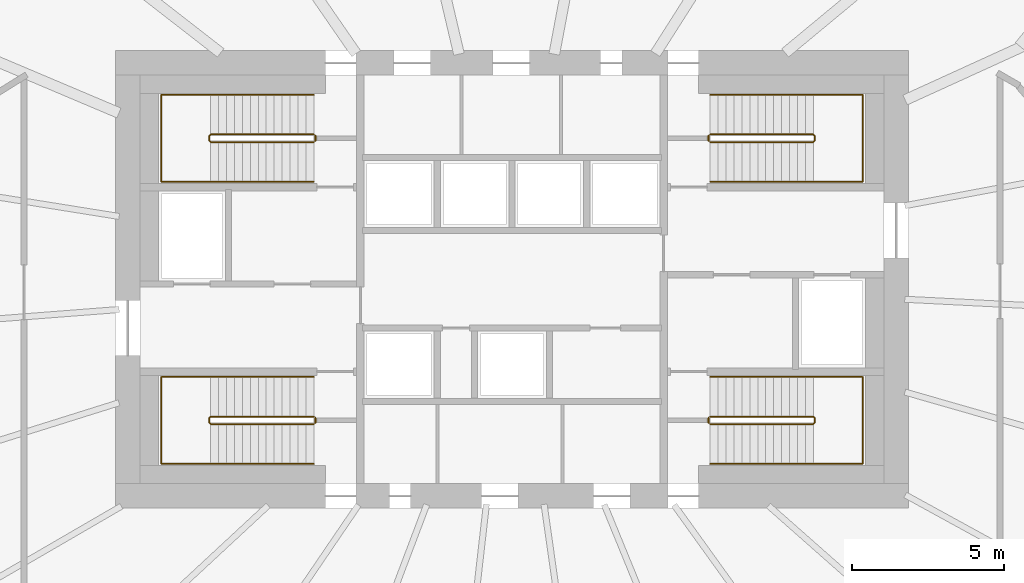
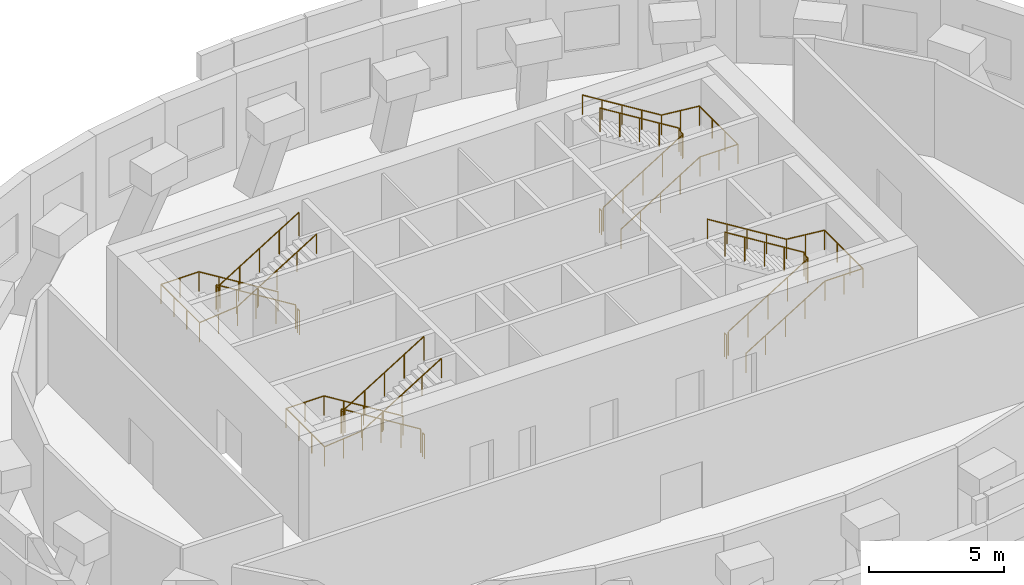
# One storey, part 9 of 9: 12 railings.
"""IFC4 building model written with IfcOpenShell, lengths in metres."""

from ifc_helpers import new_model, si_unit, direction, frame, origin, origin_2d, place, context, subcontext, project, spatial, circle, extrude, material, type_object, element, save


model = new_model("IFC4")

# Units and contexts
model_context = context("Model", 3, precision=1e-05, world=origin(), true_north=direction((0.0, 1.0)))
body_context = subcontext(model_context, "Body", "Model", "MODEL_VIEW")
ifc_project = project(units=[si_unit("LENGTHUNIT", "METRE"), si_unit("AREAUNIT", "SQUARE_METRE"), si_unit("VOLUMEUNIT", "CUBIC_METRE"), si_unit("PLANEANGLEUNIT", "RADIAN"), si_unit("MASSUNIT", "GRAM", prefix="KILO")], contexts=[model_context])

# Site, building, storey
site_placement = place(None, origin())
site = spatial("IfcSite", under=ifc_project, at=site_placement, CompositionType="ELEMENT")
building_placement = place(site_placement, origin())
building = spatial("IfcBuilding", under=site, at=building_placement, Name="Rubra Terraces Tower", CompositionType="ELEMENT")
storey_placement = place(building_placement, frame((0.0, 0.0, 264.300048828125)))
storey = spatial("IfcBuildingStorey", under=building, at=storey_placement, Name="L65", CompositionType="ELEMENT", Elevation=264.300048828125)

# Railings
ifc_material = material(Name="Stainless steel", Category="steel")
railing_type_1 = type_object("IfcRailingType", Name="Core stair guard 1100", PredefinedType="GUARDRAIL", material=ifc_material)
railing_1_placement = place(storey_placement, frame((-6.5, 0.0, 0.16064453125)))
element("IfcRailing", 1, at=railing_1_placement, inside=storey, type_object=railing_type_1, Name="L65 stair S1 guard 1", PredefinedType="GUARDRAIL", context=body_context, shape_type="SweptSolid", body=[
    extrude(circle(Radius=0.02392578125, at=origin_2d()), frame((0.0, 0.0, 1.076171875), z_axis=(-0.8505975674, 0.0, 0.525817248036), x_axis=(0.0, -1.0, 0.0)), (0.0, 0.0, 1.0), 3.9736328125),
    extrude(circle(Radius=0.02392578125, at=origin_2d()), frame((-3.3798828125, 0.0, 3.16552734375), z_axis=(-0.707106781187, -0.707106781187, 0.0), x_axis=(0.707106781187, -0.707106781187, 0.0)), (0.0, 0.0, 1.0), 0.07080078125),
    extrude(circle(Radius=0.02392578125, at=origin_2d()), frame((-3.429931640625, -0.050048828125, 3.16552734375), z_axis=(0.0, -1.0, 0.0), x_axis=(1.0, 0.0, 0.0)), (0.0, 0.0, 1.0), 0.14990234375),
    extrude(circle(Radius=0.02392578125, at=origin_2d()), frame((-3.429931640625, -0.199951171875, 3.16552734375), z_axis=(0.285103605394, -0.285103605394, 0.91511303585), x_axis=(0.707106781187, 0.707106781187, 0.0)), (0.0, 0.0, 1.0), 0.175537109375),
    extrude(circle(Radius=0.02392578125, at=origin_2d()), frame((-3.3798828125, -0.25, 3.326171875), z_axis=(0.8505975674, 0.0, 0.525817248036), x_axis=(0.0, 1.0, 0.0)), (0.0, 0.0, 1.0), 3.9736328125),
    extrude(circle(Radius=0.02099609375, at=origin_2d()), origin(), (0.0, 0.0, 1.0), 1.052001953125),
    extrude(circle(Radius=0.02099609375, at=origin_2d()), frame((-0.844970703125, 0.0, 0.5224609375)), (0.0, 0.0, 1.0), 1.052001953125),
    extrude(circle(Radius=0.02099609375, at=origin_2d()), frame((-1.68994140625, 0.0, 1.044677734375)), (0.0, 0.0, 1.0), 1.052001953125),
    extrude(circle(Radius=0.02099609375, at=origin_2d()), frame((-2.534912109375, 0.0, 1.56689453125)), (0.0, 0.0, 1.0), 1.052001953125),
    extrude(circle(Radius=0.02099609375, at=origin_2d()), frame((-3.3798828125, 0.0, 2.08935546875)), (0.0, 0.0, 1.0), 1.052001953125),
    extrude(circle(Radius=0.02099609375, at=origin_2d()), frame((-3.429931640625, -0.050048828125, 2.08935546875)), (0.0, 0.0, 1.0), 1.052001953125),
    extrude(circle(Radius=0.02099609375, at=origin_2d()), frame((-3.429931640625, -0.199951171875, 2.08935546875)), (0.0, 0.0, 1.0), 1.052001953125),
    extrude(circle(Radius=0.02099609375, at=origin_2d()), frame((-3.3798828125, -0.25, 2.25)), (0.0, 0.0, 1.0), 1.052001953125),
    extrude(circle(Radius=0.02099609375, at=origin_2d()), frame((-2.534912109375, -0.25, 2.7724609375)), (0.0, 0.0, 1.0), 1.052001953125),
    extrude(circle(Radius=0.02099609375, at=origin_2d()), frame((-1.68994140625, -0.25, 3.294677734375)), (0.0, 0.0, 1.0), 1.052001953125),
    extrude(circle(Radius=0.02099609375, at=origin_2d()), frame((-0.844970703125, -0.25, 3.81689453125)), (0.0, 0.0, 1.0), 1.052001953125),
    extrude(circle(Radius=0.02099609375, at=origin_2d()), frame((0.0, -0.25, 4.33935546875)), (0.0, 0.0, 1.0), 1.052001953125),
])
railing_2_placement = place(storey_placement, frame((-6.449951171875, -0.050048828125, 0.0)))
element("IfcRailing", 2, at=railing_2_placement, inside=storey, type_object=railing_type_1, Name="L65 stair S1 guard 2", PredefinedType="GUARDRAIL", context=body_context, shape_type="SweptSolid", body=[
    extrude(circle(Radius=0.02392578125, at=origin_2d()), frame((0.0, 0.0, 1.076171875), z_axis=(0.0, -1.0, 0.0), x_axis=(1.0, 0.0, 0.0)), (0.0, 0.0, 1.0), 0.14990234375),
    extrude(circle(Radius=0.02099609375, at=origin_2d()), origin(), (0.0, 0.0, 1.0), 1.052001953125),
    extrude(circle(Radius=0.02099609375, at=origin_2d()), frame((0.0, -0.14990234375, 0.0)), (0.0, 0.0, 1.0), 1.052001953125),
])
railing_3_placement = place(storey_placement, frame((-6.5, 9.25, 0.16064453125)))
element("IfcRailing", 3, at=railing_3_placement, inside=storey, type_object=railing_type_1, Name="L65 stair S2 guard 1", PredefinedType="GUARDRAIL", context=body_context, shape_type="SweptSolid", body=[
    extrude(circle(Radius=0.02392578125, at=origin_2d()), frame((0.0, 0.0, 1.076171875), z_axis=(-0.8505975674, 0.0, 0.525817248036), x_axis=(0.0, -1.0, 0.0)), (0.0, 0.0, 1.0), 3.9736328125),
    extrude(circle(Radius=0.02392578125, at=origin_2d()), frame((-3.3798828125, 0.0, 3.16552734375), z_axis=(-0.707106781187, -0.707106781187, 0.0), x_axis=(0.707106781187, -0.707106781187, 0.0)), (0.0, 0.0, 1.0), 0.07080078125),
    extrude(circle(Radius=0.02392578125, at=origin_2d()), frame((-3.429931640625, -0.050048828125, 3.16552734375), z_axis=(0.0, -1.0, 0.0), x_axis=(1.0, 0.0, 0.0)), (0.0, 0.0, 1.0), 0.14990234375),
    extrude(circle(Radius=0.02392578125, at=origin_2d()), frame((-3.429931640625, -0.199951171875, 3.16552734375), z_axis=(0.285103605394, -0.285103605394, 0.91511303585), x_axis=(0.707106781187, 0.707106781187, 0.0)), (0.0, 0.0, 1.0), 0.175537109375),
    extrude(circle(Radius=0.02392578125, at=origin_2d()), frame((-3.3798828125, -0.25, 3.326171875), z_axis=(0.8505975674, 0.0, 0.525817248036), x_axis=(0.0, 1.0, 0.0)), (0.0, 0.0, 1.0), 3.9736328125),
    extrude(circle(Radius=0.02099609375, at=origin_2d()), origin(), (0.0, 0.0, 1.0), 1.052001953125),
    extrude(circle(Radius=0.02099609375, at=origin_2d()), frame((-0.844970703125, 0.0, 0.5224609375)), (0.0, 0.0, 1.0), 1.052001953125),
    extrude(circle(Radius=0.02099609375, at=origin_2d()), frame((-1.68994140625, 0.0, 1.044677734375)), (0.0, 0.0, 1.0), 1.052001953125),
    extrude(circle(Radius=0.02099609375, at=origin_2d()), frame((-2.534912109375, 0.0, 1.56689453125)), (0.0, 0.0, 1.0), 1.052001953125),
    extrude(circle(Radius=0.02099609375, at=origin_2d()), frame((-3.3798828125, 0.0, 2.08935546875)), (0.0, 0.0, 1.0), 1.052001953125),
    extrude(circle(Radius=0.02099609375, at=origin_2d()), frame((-3.429931640625, -0.050048828125, 2.08935546875)), (0.0, 0.0, 1.0), 1.052001953125),
    extrude(circle(Radius=0.02099609375, at=origin_2d()), frame((-3.429931640625, -0.199951171875, 2.08935546875)), (0.0, 0.0, 1.0), 1.052001953125),
    extrude(circle(Radius=0.02099609375, at=origin_2d()), frame((-3.3798828125, -0.25, 2.25)), (0.0, 0.0, 1.0), 1.052001953125),
    extrude(circle(Radius=0.02099609375, at=origin_2d()), frame((-2.534912109375, -0.25, 2.7724609375)), (0.0, 0.0, 1.0), 1.052001953125),
    extrude(circle(Radius=0.02099609375, at=origin_2d()), frame((-1.68994140625, -0.25, 3.294677734375)), (0.0, 0.0, 1.0), 1.052001953125),
    extrude(circle(Radius=0.02099609375, at=origin_2d()), frame((-0.844970703125, -0.25, 3.81689453125)), (0.0, 0.0, 1.0), 1.052001953125),
    extrude(circle(Radius=0.02099609375, at=origin_2d()), frame((0.0, -0.25, 4.33935546875)), (0.0, 0.0, 1.0), 1.052001953125),
])
railing_4_placement = place(storey_placement, frame((-6.449951171875, 9.199951171875, 0.0)))
element("IfcRailing", 4, at=railing_4_placement, inside=storey, type_object=railing_type_1, Name="L65 stair S2 guard 2", PredefinedType="GUARDRAIL", context=body_context, shape_type="SweptSolid", body=[
    extrude(circle(Radius=0.02392578125, at=origin_2d()), frame((0.0, 0.0, 1.076171875), z_axis=(0.0, -1.0, 0.0), x_axis=(1.0, 0.0, 0.0)), (0.0, 0.0, 1.0), 0.14990234375),
    extrude(circle(Radius=0.02099609375, at=origin_2d()), origin(), (0.0, 0.0, 1.0), 1.052001953125),
    extrude(circle(Radius=0.02099609375, at=origin_2d()), frame((0.0, -0.14990234375, 0.0)), (0.0, 0.0, 1.0), 1.052001953125),
])
railing_5_placement = place(storey_placement, frame((6.5, 9.0, 0.16064453125)))
element("IfcRailing", 5, at=railing_5_placement, inside=storey, type_object=railing_type_1, Name="L65 stair S3 guard 1", PredefinedType="GUARDRAIL", context=body_context, shape_type="SweptSolid", body=[
    extrude(circle(Radius=0.02392578125, at=origin_2d()), frame((0.0, 0.0, 1.076171875), z_axis=(0.8505975674, 0.0, 0.525817248036), x_axis=(0.0, 1.0, 0.0)), (0.0, 0.0, 1.0), 3.9736328125),
    extrude(circle(Radius=0.02392578125, at=origin_2d()), frame((3.3798828125, 0.0, 3.16552734375), z_axis=(0.707106781187, 0.707106781187, 0.0), x_axis=(-0.707106781187, 0.707106781187, 0.0)), (0.0, 0.0, 1.0), 0.07080078125),
    extrude(circle(Radius=0.02392578125, at=origin_2d()), frame((3.429931640625, 0.050048828125, 3.16552734375), z_axis=(0.0, 1.0, 0.0), x_axis=(-1.0, 0.0, 0.0)), (0.0, 0.0, 1.0), 0.14990234375),
    extrude(circle(Radius=0.02392578125, at=origin_2d()), frame((3.429931640625, 0.199951171875, 3.16552734375), z_axis=(-0.285103605394, 0.285103605394, 0.91511303585), x_axis=(-0.707106781187, -0.707106781187, 0.0)), (0.0, 0.0, 1.0), 0.175537109375),
    extrude(circle(Radius=0.02392578125, at=origin_2d()), frame((3.3798828125, 0.25, 3.326171875), z_axis=(-0.8505975674, 0.0, 0.525817248036), x_axis=(0.0, -1.0, 0.0)), (0.0, 0.0, 1.0), 3.9736328125),
    extrude(circle(Radius=0.02099609375, at=origin_2d()), origin(), (0.0, 0.0, 1.0), 1.052001953125),
    extrude(circle(Radius=0.02099609375, at=origin_2d()), frame((0.844970703125, 0.0, 0.5224609375)), (0.0, 0.0, 1.0), 1.052001953125),
    extrude(circle(Radius=0.02099609375, at=origin_2d()), frame((1.68994140625, 0.0, 1.044677734375)), (0.0, 0.0, 1.0), 1.052001953125),
    extrude(circle(Radius=0.02099609375, at=origin_2d()), frame((2.534912109375, 0.0, 1.56689453125)), (0.0, 0.0, 1.0), 1.052001953125),
    extrude(circle(Radius=0.02099609375, at=origin_2d()), frame((3.3798828125, 0.0, 2.08935546875)), (0.0, 0.0, 1.0), 1.052001953125),
    extrude(circle(Radius=0.02099609375, at=origin_2d()), frame((3.429931640625, 0.050048828125, 2.08935546875)), (0.0, 0.0, 1.0), 1.052001953125),
    extrude(circle(Radius=0.02099609375, at=origin_2d()), frame((3.429931640625, 0.199951171875, 2.08935546875)), (0.0, 0.0, 1.0), 1.052001953125),
    extrude(circle(Radius=0.02099609375, at=origin_2d()), frame((3.3798828125, 0.25, 2.25)), (0.0, 0.0, 1.0), 1.052001953125),
    extrude(circle(Radius=0.02099609375, at=origin_2d()), frame((2.534912109375, 0.25, 2.7724609375)), (0.0, 0.0, 1.0), 1.052001953125),
    extrude(circle(Radius=0.02099609375, at=origin_2d()), frame((1.68994140625, 0.25, 3.294677734375)), (0.0, 0.0, 1.0), 1.052001953125),
    extrude(circle(Radius=0.02099609375, at=origin_2d()), frame((0.844970703125, 0.25, 3.81689453125)), (0.0, 0.0, 1.0), 1.052001953125),
    extrude(circle(Radius=0.02099609375, at=origin_2d()), frame((0.0, 0.25, 4.33935546875)), (0.0, 0.0, 1.0), 1.052001953125),
])
railing_6_placement = place(storey_placement, frame((6.449951171875, 9.050048828125, 0.0)))
element("IfcRailing", 6, at=railing_6_placement, inside=storey, type_object=railing_type_1, Name="L65 stair S3 guard 2", PredefinedType="GUARDRAIL", context=body_context, shape_type="SweptSolid", body=[
    extrude(circle(Radius=0.02392578125, at=origin_2d()), frame((0.0, 0.0, 1.076171875), z_axis=(0.0, 1.0, 0.0), x_axis=(-1.0, 0.0, 0.0)), (0.0, 0.0, 1.0), 0.14990234375),
    extrude(circle(Radius=0.02099609375, at=origin_2d()), origin(), (0.0, 0.0, 1.0), 1.052001953125),
    extrude(circle(Radius=0.02099609375, at=origin_2d()), frame((0.0, 0.14990234375, 0.0)), (0.0, 0.0, 1.0), 1.052001953125),
])
railing_7_placement = place(storey_placement, frame((6.5, -0.25, 0.16064453125)))
element("IfcRailing", 7, at=railing_7_placement, inside=storey, type_object=railing_type_1, Name="L65 stair S4 guard 1", PredefinedType="GUARDRAIL", context=body_context, shape_type="SweptSolid", body=[
    extrude(circle(Radius=0.02392578125, at=origin_2d()), frame((0.0, 0.0, 1.076171875), z_axis=(0.8505975674, 0.0, 0.525817248036), x_axis=(0.0, 1.0, 0.0)), (0.0, 0.0, 1.0), 3.9736328125),
    extrude(circle(Radius=0.02392578125, at=origin_2d()), frame((3.3798828125, 0.0, 3.16552734375), z_axis=(0.707106781187, 0.707106781187, 0.0), x_axis=(-0.707106781187, 0.707106781187, 0.0)), (0.0, 0.0, 1.0), 0.07080078125),
    extrude(circle(Radius=0.02392578125, at=origin_2d()), frame((3.429931640625, 0.050048828125, 3.16552734375), z_axis=(0.0, 1.0, 0.0), x_axis=(-1.0, 0.0, 0.0)), (0.0, 0.0, 1.0), 0.14990234375),
    extrude(circle(Radius=0.02392578125, at=origin_2d()), frame((3.429931640625, 0.199951171875, 3.16552734375), z_axis=(-0.285103605394, 0.285103605394, 0.91511303585), x_axis=(-0.707106781187, -0.707106781187, 0.0)), (0.0, 0.0, 1.0), 0.175537109375),
    extrude(circle(Radius=0.02392578125, at=origin_2d()), frame((3.3798828125, 0.25, 3.326171875), z_axis=(-0.8505975674, 0.0, 0.525817248036), x_axis=(0.0, -1.0, 0.0)), (0.0, 0.0, 1.0), 3.9736328125),
    extrude(circle(Radius=0.02099609375, at=origin_2d()), origin(), (0.0, 0.0, 1.0), 1.052001953125),
    extrude(circle(Radius=0.02099609375, at=origin_2d()), frame((0.844970703125, 0.0, 0.5224609375)), (0.0, 0.0, 1.0), 1.052001953125),
    extrude(circle(Radius=0.02099609375, at=origin_2d()), frame((1.68994140625, 0.0, 1.044677734375)), (0.0, 0.0, 1.0), 1.052001953125),
    extrude(circle(Radius=0.02099609375, at=origin_2d()), frame((2.534912109375, 0.0, 1.56689453125)), (0.0, 0.0, 1.0), 1.052001953125),
    extrude(circle(Radius=0.02099609375, at=origin_2d()), frame((3.3798828125, 0.0, 2.08935546875)), (0.0, 0.0, 1.0), 1.052001953125),
    extrude(circle(Radius=0.02099609375, at=origin_2d()), frame((3.429931640625, 0.050048828125, 2.08935546875)), (0.0, 0.0, 1.0), 1.052001953125),
    extrude(circle(Radius=0.02099609375, at=origin_2d()), frame((3.429931640625, 0.199951171875, 2.08935546875)), (0.0, 0.0, 1.0), 1.052001953125),
    extrude(circle(Radius=0.02099609375, at=origin_2d()), frame((3.3798828125, 0.25, 2.25)), (0.0, 0.0, 1.0), 1.052001953125),
    extrude(circle(Radius=0.02099609375, at=origin_2d()), frame((2.534912109375, 0.25, 2.7724609375)), (0.0, 0.0, 1.0), 1.052001953125),
    extrude(circle(Radius=0.02099609375, at=origin_2d()), frame((1.68994140625, 0.25, 3.294677734375)), (0.0, 0.0, 1.0), 1.052001953125),
    extrude(circle(Radius=0.02099609375, at=origin_2d()), frame((0.844970703125, 0.25, 3.81689453125)), (0.0, 0.0, 1.0), 1.052001953125),
    extrude(circle(Radius=0.02099609375, at=origin_2d()), frame((0.0, 0.25, 4.33935546875)), (0.0, 0.0, 1.0), 1.052001953125),
])
railing_8_placement = place(storey_placement, frame((6.449951171875, -0.199951171875, 0.0)))
element("IfcRailing", 8, at=railing_8_placement, inside=storey, type_object=railing_type_1, Name="L65 stair S4 guard 2", PredefinedType="GUARDRAIL", context=body_context, shape_type="SweptSolid", body=[
    extrude(circle(Radius=0.02392578125, at=origin_2d()), frame((0.0, 0.0, 1.076171875), z_axis=(0.0, 1.0, 0.0), x_axis=(-1.0, 0.0, 0.0)), (0.0, 0.0, 1.0), 0.14990234375),
    extrude(circle(Radius=0.02099609375, at=origin_2d()), origin(), (0.0, 0.0, 1.0), 1.052001953125),
    extrude(circle(Radius=0.02099609375, at=origin_2d()), frame((0.0, 0.14990234375, 0.0)), (0.0, 0.0, 1.0), 1.052001953125),
])
railing_type_2 = type_object("IfcRailingType", Name="Core stair handrail 900", PredefinedType="HANDRAIL", material=ifc_material)
railing_9_placement = place(storey_placement, frame((-6.5, 1.300048828125, 0.16064453125)))
element("IfcRailing", 9, at=railing_9_placement, inside=storey, type_object=railing_type_2, Name="L65 stair S1 handrail 1", PredefinedType="HANDRAIL", context=body_context, shape_type="SweptSolid", body=[
    extrude(circle(Radius=0.02392578125, at=origin_2d()), frame((0.0, 0.0, 0.8759765625), z_axis=(-0.8505975674, 0.0, 0.525817248036), x_axis=(0.0, -1.0, 0.0)), (0.0, 0.0, 1.0), 3.9736328125),
    extrude(circle(Radius=0.02392578125, at=origin_2d()), frame((-3.3798828125, 0.0, 2.96533203125), z_axis=(-1.0, 0.0, 0.0), x_axis=(0.0, -1.0, 0.0)), (0.0, 0.0, 1.0), 1.6201171875),
    extrude(circle(Radius=0.02392578125, at=origin_2d()), frame((-5.0, 0.0, 2.96533203125), z_axis=(0.0, -1.0, 0.0), x_axis=(1.0, 0.0, 0.0)), (0.0, 0.0, 1.0), 2.85009765625),
    extrude(circle(Radius=0.02392578125, at=origin_2d()), frame((-5.0, -2.85009765625, 2.96533203125), z_axis=(0.995119987753, 0.0, 0.098672235073), x_axis=(0.0, 1.0, 0.0)), (0.0, 0.0, 1.0), 1.628173828125),
    extrude(circle(Radius=0.02392578125, at=origin_2d()), frame((-3.3798828125, -2.85009765625, 3.1259765625), z_axis=(0.8505975674, 0.0, 0.525817248036), x_axis=(0.0, 1.0, 0.0)), (0.0, 0.0, 1.0), 3.9736328125),
    extrude(circle(Radius=0.02099609375, at=origin_2d()), origin(), (0.0, 0.0, 1.0), 0.851806640625),
    extrude(circle(Radius=0.02099609375, at=origin_2d()), frame((-0.844970703125, 0.0, 0.5224609375)), (0.0, 0.0, 1.0), 0.851806640625),
    extrude(circle(Radius=0.02099609375, at=origin_2d()), frame((-1.68994140625, 0.0, 1.044677734375)), (0.0, 0.0, 1.0), 0.851806640625),
    extrude(circle(Radius=0.02099609375, at=origin_2d()), frame((-2.534912109375, 0.0, 1.56689453125)), (0.0, 0.0, 1.0), 0.851806640625),
    extrude(circle(Radius=0.02099609375, at=origin_2d()), frame((-3.3798828125, 0.0, 2.08935546875)), (0.0, 0.0, 1.0), 0.851806640625),
    extrude(circle(Radius=0.02099609375, at=origin_2d()), frame((-4.18994140625, 0.0, 2.08935546875)), (0.0, 0.0, 1.0), 0.851806640625),
    extrude(circle(Radius=0.02099609375, at=origin_2d()), frame((-5.0, 0.0, 2.08935546875)), (0.0, 0.0, 1.0), 0.851806640625),
    extrude(circle(Radius=0.02099609375, at=origin_2d()), frame((-5.0, -0.949951171875, 2.08935546875)), (0.0, 0.0, 1.0), 0.851806640625),
    extrude(circle(Radius=0.02099609375, at=origin_2d()), frame((-5.0, -1.900146484375, 2.08935546875)), (0.0, 0.0, 1.0), 0.851806640625),
    extrude(circle(Radius=0.02099609375, at=origin_2d()), frame((-5.0, -2.85009765625, 2.08935546875)), (0.0, 0.0, 1.0), 0.851806640625),
    extrude(circle(Radius=0.02099609375, at=origin_2d()), frame((-4.18994140625, -2.85009765625, 2.169677734375)), (0.0, 0.0, 1.0), 0.851806640625),
    extrude(circle(Radius=0.02099609375, at=origin_2d()), frame((-3.3798828125, -2.85009765625, 2.25)), (0.0, 0.0, 1.0), 0.851806640625),
    extrude(circle(Radius=0.02099609375, at=origin_2d()), frame((-2.534912109375, -2.85009765625, 2.7724609375)), (0.0, 0.0, 1.0), 0.851806640625),
    extrude(circle(Radius=0.02099609375, at=origin_2d()), frame((-1.68994140625, -2.85009765625, 3.294677734375)), (0.0, 0.0, 1.0), 0.851806640625),
    extrude(circle(Radius=0.02099609375, at=origin_2d()), frame((-0.844970703125, -2.85009765625, 3.81689453125)), (0.0, 0.0, 1.0), 0.851806640625),
    extrude(circle(Radius=0.02099609375, at=origin_2d()), frame((0.0, -2.85009765625, 4.33935546875)), (0.0, 0.0, 1.0), 0.851806640625),
])
railing_10_placement = place(storey_placement, frame((-6.5, 10.550048828125, 0.16064453125)))
element("IfcRailing", 10, at=railing_10_placement, inside=storey, type_object=railing_type_2, Name="L65 stair S2 handrail 1", PredefinedType="HANDRAIL", context=body_context, shape_type="SweptSolid", body=[
    extrude(circle(Radius=0.02392578125, at=origin_2d()), frame((0.0, 0.0, 0.8759765625), z_axis=(-0.8505975674, 0.0, 0.525817248036), x_axis=(0.0, -1.0, 0.0)), (0.0, 0.0, 1.0), 3.9736328125),
    extrude(circle(Radius=0.02392578125, at=origin_2d()), frame((-3.3798828125, 0.0, 2.96533203125), z_axis=(-1.0, 0.0, 0.0), x_axis=(0.0, -1.0, 0.0)), (0.0, 0.0, 1.0), 1.6201171875),
    extrude(circle(Radius=0.02392578125, at=origin_2d()), frame((-5.0, 0.0, 2.96533203125), z_axis=(0.0, -1.0, 0.0), x_axis=(1.0, 0.0, 0.0)), (0.0, 0.0, 1.0), 2.85009765625),
    extrude(circle(Radius=0.02392578125, at=origin_2d()), frame((-5.0, -2.85009765625, 2.96533203125), z_axis=(0.995119987753, 0.0, 0.098672235073), x_axis=(0.0, 1.0, 0.0)), (0.0, 0.0, 1.0), 1.628173828125),
    extrude(circle(Radius=0.02392578125, at=origin_2d()), frame((-3.3798828125, -2.85009765625, 3.1259765625), z_axis=(0.8505975674, 0.0, 0.525817248036), x_axis=(0.0, 1.0, 0.0)), (0.0, 0.0, 1.0), 3.9736328125),
    extrude(circle(Radius=0.02099609375, at=origin_2d()), origin(), (0.0, 0.0, 1.0), 0.851806640625),
    extrude(circle(Radius=0.02099609375, at=origin_2d()), frame((-0.844970703125, 0.0, 0.5224609375)), (0.0, 0.0, 1.0), 0.851806640625),
    extrude(circle(Radius=0.02099609375, at=origin_2d()), frame((-1.68994140625, 0.0, 1.044677734375)), (0.0, 0.0, 1.0), 0.851806640625),
    extrude(circle(Radius=0.02099609375, at=origin_2d()), frame((-2.534912109375, 0.0, 1.56689453125)), (0.0, 0.0, 1.0), 0.851806640625),
    extrude(circle(Radius=0.02099609375, at=origin_2d()), frame((-3.3798828125, 0.0, 2.08935546875)), (0.0, 0.0, 1.0), 0.851806640625),
    extrude(circle(Radius=0.02099609375, at=origin_2d()), frame((-4.18994140625, 0.0, 2.08935546875)), (0.0, 0.0, 1.0), 0.851806640625),
    extrude(circle(Radius=0.02099609375, at=origin_2d()), frame((-5.0, 0.0, 2.08935546875)), (0.0, 0.0, 1.0), 0.851806640625),
    extrude(circle(Radius=0.02099609375, at=origin_2d()), frame((-5.0, -0.949951171875, 2.08935546875)), (0.0, 0.0, 1.0), 0.851806640625),
    extrude(circle(Radius=0.02099609375, at=origin_2d()), frame((-5.0, -1.900146484375, 2.08935546875)), (0.0, 0.0, 1.0), 0.851806640625),
    extrude(circle(Radius=0.02099609375, at=origin_2d()), frame((-5.0, -2.85009765625, 2.08935546875)), (0.0, 0.0, 1.0), 0.851806640625),
    extrude(circle(Radius=0.02099609375, at=origin_2d()), frame((-4.18994140625, -2.85009765625, 2.169677734375)), (0.0, 0.0, 1.0), 0.851806640625),
    extrude(circle(Radius=0.02099609375, at=origin_2d()), frame((-3.3798828125, -2.85009765625, 2.25)), (0.0, 0.0, 1.0), 0.851806640625),
    extrude(circle(Radius=0.02099609375, at=origin_2d()), frame((-2.534912109375, -2.85009765625, 2.7724609375)), (0.0, 0.0, 1.0), 0.851806640625),
    extrude(circle(Radius=0.02099609375, at=origin_2d()), frame((-1.68994140625, -2.85009765625, 3.294677734375)), (0.0, 0.0, 1.0), 0.851806640625),
    extrude(circle(Radius=0.02099609375, at=origin_2d()), frame((-0.844970703125, -2.85009765625, 3.81689453125)), (0.0, 0.0, 1.0), 0.851806640625),
    extrude(circle(Radius=0.02099609375, at=origin_2d()), frame((0.0, -2.85009765625, 4.33935546875)), (0.0, 0.0, 1.0), 0.851806640625),
])
railing_11_placement = place(storey_placement, frame((6.5, 7.699951171875, 0.16064453125)))
element("IfcRailing", 11, at=railing_11_placement, inside=storey, type_object=railing_type_2, Name="L65 stair S3 handrail 1", PredefinedType="HANDRAIL", context=body_context, shape_type="SweptSolid", body=[
    extrude(circle(Radius=0.02392578125, at=origin_2d()), frame((0.0, 0.0, 0.8759765625), z_axis=(0.8505975674, 0.0, 0.525817248036), x_axis=(0.0, 1.0, 0.0)), (0.0, 0.0, 1.0), 3.9736328125),
    extrude(circle(Radius=0.02392578125, at=origin_2d()), frame((3.3798828125, 0.0, 2.96533203125), z_axis=(1.0, 0.0, 0.0), x_axis=(0.0, 1.0, 0.0)), (0.0, 0.0, 1.0), 1.6201171875),
    extrude(circle(Radius=0.02392578125, at=origin_2d()), frame((5.0, 0.0, 2.96533203125), z_axis=(0.0, 1.0, 0.0), x_axis=(-1.0, 0.0, 0.0)), (0.0, 0.0, 1.0), 2.85009765625),
    extrude(circle(Radius=0.02392578125, at=origin_2d()), frame((5.0, 2.85009765625, 2.96533203125), z_axis=(-0.995119987753, 0.0, 0.098672235073), x_axis=(0.0, -1.0, 0.0)), (0.0, 0.0, 1.0), 1.628173828125),
    extrude(circle(Radius=0.02392578125, at=origin_2d()), frame((3.3798828125, 2.85009765625, 3.1259765625), z_axis=(-0.8505975674, 0.0, 0.525817248036), x_axis=(0.0, -1.0, 0.0)), (0.0, 0.0, 1.0), 3.9736328125),
    extrude(circle(Radius=0.02099609375, at=origin_2d()), origin(), (0.0, 0.0, 1.0), 0.851806640625),
    extrude(circle(Radius=0.02099609375, at=origin_2d()), frame((0.844970703125, 0.0, 0.5224609375)), (0.0, 0.0, 1.0), 0.851806640625),
    extrude(circle(Radius=0.02099609375, at=origin_2d()), frame((1.68994140625, 0.0, 1.044677734375)), (0.0, 0.0, 1.0), 0.851806640625),
    extrude(circle(Radius=0.02099609375, at=origin_2d()), frame((2.534912109375, 0.0, 1.56689453125)), (0.0, 0.0, 1.0), 0.851806640625),
    extrude(circle(Radius=0.02099609375, at=origin_2d()), frame((3.3798828125, 0.0, 2.08935546875)), (0.0, 0.0, 1.0), 0.851806640625),
    extrude(circle(Radius=0.02099609375, at=origin_2d()), frame((4.18994140625, 0.0, 2.08935546875)), (0.0, 0.0, 1.0), 0.851806640625),
    extrude(circle(Radius=0.02099609375, at=origin_2d()), frame((5.0, 0.0, 2.08935546875)), (0.0, 0.0, 1.0), 0.851806640625),
    extrude(circle(Radius=0.02099609375, at=origin_2d()), frame((5.0, 0.949951171875, 2.08935546875)), (0.0, 0.0, 1.0), 0.851806640625),
    extrude(circle(Radius=0.02099609375, at=origin_2d()), frame((5.0, 1.900146484375, 2.08935546875)), (0.0, 0.0, 1.0), 0.851806640625),
    extrude(circle(Radius=0.02099609375, at=origin_2d()), frame((5.0, 2.85009765625, 2.08935546875)), (0.0, 0.0, 1.0), 0.851806640625),
    extrude(circle(Radius=0.02099609375, at=origin_2d()), frame((4.18994140625, 2.85009765625, 2.169677734375)), (0.0, 0.0, 1.0), 0.851806640625),
    extrude(circle(Radius=0.02099609375, at=origin_2d()), frame((3.3798828125, 2.85009765625, 2.25)), (0.0, 0.0, 1.0), 0.851806640625),
    extrude(circle(Radius=0.02099609375, at=origin_2d()), frame((2.534912109375, 2.85009765625, 2.7724609375)), (0.0, 0.0, 1.0), 0.851806640625),
    extrude(circle(Radius=0.02099609375, at=origin_2d()), frame((1.68994140625, 2.85009765625, 3.294677734375)), (0.0, 0.0, 1.0), 0.851806640625),
    extrude(circle(Radius=0.02099609375, at=origin_2d()), frame((0.844970703125, 2.85009765625, 3.81689453125)), (0.0, 0.0, 1.0), 0.851806640625),
    extrude(circle(Radius=0.02099609375, at=origin_2d()), frame((0.0, 2.85009765625, 4.33935546875)), (0.0, 0.0, 1.0), 0.851806640625),
])
railing_12_placement = place(storey_placement, frame((6.5, -1.550048828125, 0.16064453125)))
element("IfcRailing", 12, at=railing_12_placement, inside=storey, type_object=railing_type_2, Name="L65 stair S4 handrail 1", PredefinedType="HANDRAIL", context=body_context, shape_type="SweptSolid", body=[
    extrude(circle(Radius=0.02392578125, at=origin_2d()), frame((0.0, 0.0, 0.8759765625), z_axis=(0.8505975674, 0.0, 0.525817248036), x_axis=(0.0, 1.0, 0.0)), (0.0, 0.0, 1.0), 3.9736328125),
    extrude(circle(Radius=0.02392578125, at=origin_2d()), frame((3.3798828125, 0.0, 2.96533203125), z_axis=(1.0, 0.0, 0.0), x_axis=(0.0, 1.0, 0.0)), (0.0, 0.0, 1.0), 1.6201171875),
    extrude(circle(Radius=0.02392578125, at=origin_2d()), frame((5.0, 0.0, 2.96533203125), z_axis=(0.0, 1.0, 0.0), x_axis=(-1.0, 0.0, 0.0)), (0.0, 0.0, 1.0), 2.85009765625),
    extrude(circle(Radius=0.02392578125, at=origin_2d()), frame((5.0, 2.85009765625, 2.96533203125), z_axis=(-0.995119987753, 0.0, 0.098672235073), x_axis=(0.0, -1.0, 0.0)), (0.0, 0.0, 1.0), 1.628173828125),
    extrude(circle(Radius=0.02392578125, at=origin_2d()), frame((3.3798828125, 2.85009765625, 3.1259765625), z_axis=(-0.8505975674, 0.0, 0.525817248036), x_axis=(0.0, -1.0, 0.0)), (0.0, 0.0, 1.0), 3.9736328125),
    extrude(circle(Radius=0.02099609375, at=origin_2d()), origin(), (0.0, 0.0, 1.0), 0.851806640625),
    extrude(circle(Radius=0.02099609375, at=origin_2d()), frame((0.844970703125, 0.0, 0.5224609375)), (0.0, 0.0, 1.0), 0.851806640625),
    extrude(circle(Radius=0.02099609375, at=origin_2d()), frame((1.68994140625, 0.0, 1.044677734375)), (0.0, 0.0, 1.0), 0.851806640625),
    extrude(circle(Radius=0.02099609375, at=origin_2d()), frame((2.534912109375, 0.0, 1.56689453125)), (0.0, 0.0, 1.0), 0.851806640625),
    extrude(circle(Radius=0.02099609375, at=origin_2d()), frame((3.3798828125, 0.0, 2.08935546875)), (0.0, 0.0, 1.0), 0.851806640625),
    extrude(circle(Radius=0.02099609375, at=origin_2d()), frame((4.18994140625, 0.0, 2.08935546875)), (0.0, 0.0, 1.0), 0.851806640625),
    extrude(circle(Radius=0.02099609375, at=origin_2d()), frame((5.0, 0.0, 2.08935546875)), (0.0, 0.0, 1.0), 0.851806640625),
    extrude(circle(Radius=0.02099609375, at=origin_2d()), frame((5.0, 0.949951171875, 2.08935546875)), (0.0, 0.0, 1.0), 0.851806640625),
    extrude(circle(Radius=0.02099609375, at=origin_2d()), frame((5.0, 1.900146484375, 2.08935546875)), (0.0, 0.0, 1.0), 0.851806640625),
    extrude(circle(Radius=0.02099609375, at=origin_2d()), frame((5.0, 2.85009765625, 2.08935546875)), (0.0, 0.0, 1.0), 0.851806640625),
    extrude(circle(Radius=0.02099609375, at=origin_2d()), frame((4.18994140625, 2.85009765625, 2.169677734375)), (0.0, 0.0, 1.0), 0.851806640625),
    extrude(circle(Radius=0.02099609375, at=origin_2d()), frame((3.3798828125, 2.85009765625, 2.25)), (0.0, 0.0, 1.0), 0.851806640625),
    extrude(circle(Radius=0.02099609375, at=origin_2d()), frame((2.534912109375, 2.85009765625, 2.7724609375)), (0.0, 0.0, 1.0), 0.851806640625),
    extrude(circle(Radius=0.02099609375, at=origin_2d()), frame((1.68994140625, 2.85009765625, 3.294677734375)), (0.0, 0.0, 1.0), 0.851806640625),
    extrude(circle(Radius=0.02099609375, at=origin_2d()), frame((0.844970703125, 2.85009765625, 3.81689453125)), (0.0, 0.0, 1.0), 0.851806640625),
    extrude(circle(Radius=0.02099609375, at=origin_2d()), frame((0.0, 2.85009765625, 4.33935546875)), (0.0, 0.0, 1.0), 0.851806640625),
])

save(model, "model.ifc")
